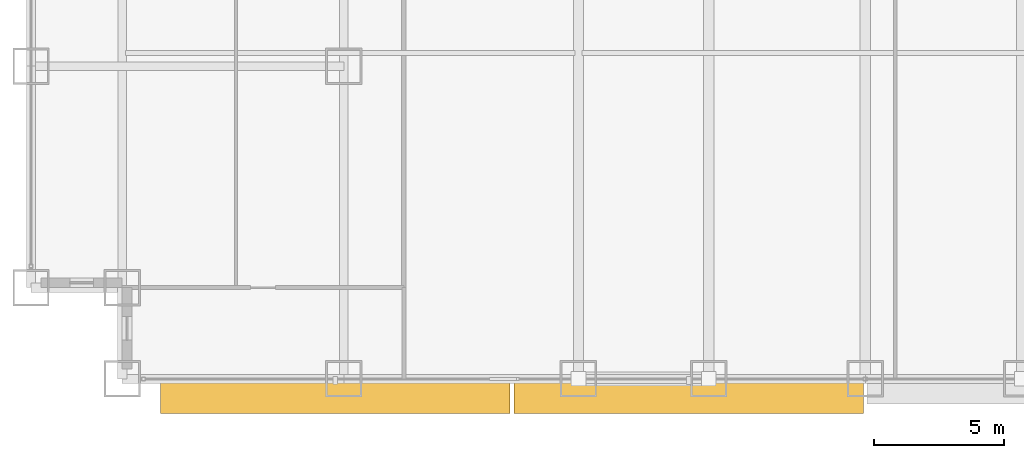
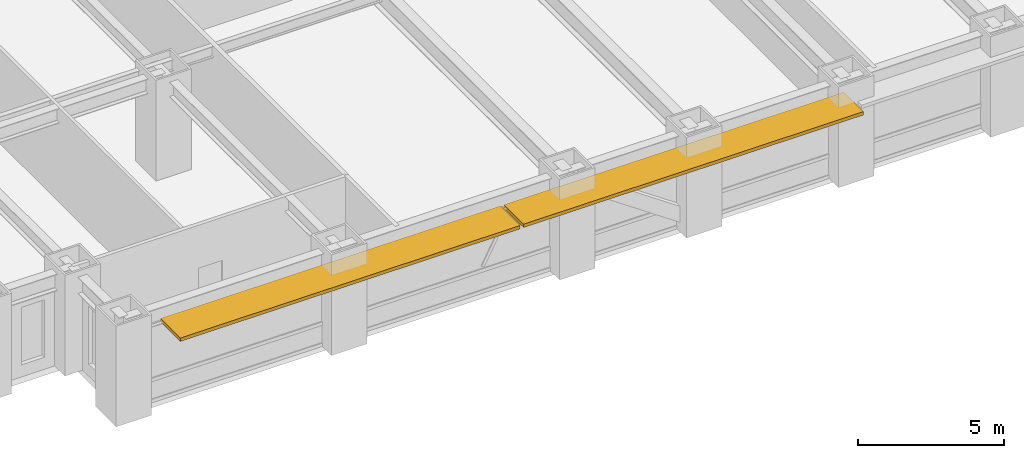
# One storey, part 28 of 32: 2 shading devices.
"""IFC4 building model written with IfcOpenShell, lengths in metres."""

from ifc_helpers import new_model, si_unit, direction, frame, origin, origin_2d, place, context, subcontext, project, spatial, rectangle, extrude, source, transform, mapped, material, layer, layer_set, type_object, element, save


model = new_model("IFC4")

# Units and contexts
model_context = context("Model", 3, precision=1e-05, world=origin(), true_north=direction((0.0, 1.0)))
body_context = subcontext(model_context, "Body", "Model", "MODEL_VIEW")
ifc_project = project(units=[si_unit("LENGTHUNIT", "METRE"), si_unit("AREAUNIT", "SQUARE_METRE"), si_unit("VOLUMEUNIT", "CUBIC_METRE"), si_unit("PLANEANGLEUNIT", "RADIAN"), si_unit("MASSUNIT", "GRAM", prefix="KILO")], contexts=[model_context])

# Site, building, storey
site_placement = place(None, origin())
site = spatial("IfcSite", under=ifc_project, at=site_placement, CompositionType="ELEMENT")
building_placement = place(site_placement, origin())
building = spatial("IfcBuilding", under=site, at=building_placement, Name="Khorayat Bourse Tower", CompositionType="ELEMENT")
storey_placement = place(building_placement, frame((0.0, 0.0, 70.39990234375)))
storey = spatial("IfcBuildingStorey", under=building, at=storey_placement, Name="L15", CompositionType="ELEMENT", Elevation=70.39990234375)

# Shading devices
ifc_material = material(Name="Precast concrete C45/55", Category="concrete")
ifc_layer = layer(ifc_material, 0.139892578125)
ifc_layer_set = layer_set([ifc_layer], Name="Precast concrete C45/55")
shading_device_type = type_object("IfcShadingDeviceType", Name="SHD-WAVE-TRAY-B", PredefinedType="USERDEFINED", material=ifc_layer_set)
shared_shape_1 = source(origin(), body_context, "Body", "SweptSolid", [
    extrude(rectangle(XDim=13.409912109375, YDim=1.350341796875, at=origin_2d()), origin(), (0.0, 0.0, 1.0), 0.139892578125),
])
shading_device_1_placement = place(storey_placement, frame((-20.324951171875, -32.655029296875, 3.18994140625), z_axis=(0.0, 0.0, 1.0), x_axis=(1.0, 0.0, 0.0)))
element("IfcShadingDevice", 1, at=shading_device_1_placement, inside=storey, type_object=shading_device_type, Name="L15 Sinusoidal Wave Sunshade Tray S-1", ObjectType="SUNSHADE", PredefinedType="USERDEFINED", context=body_context, shape_type="MappedRepresentation", body=[
    mapped(shared_shape_1, transform((0.0, 0.0, 0.0), scale=1.0)),
])
shared_shape_2 = source(origin(), body_context, "Body", "SweptSolid", [
    extrude(rectangle(XDim=13.409912109375, YDim=1.341796875, at=origin_2d()), origin(), (0.0, 0.0, 1.0), 0.139892578125),
])
shading_device_2_placement = place(storey_placement, frame((-6.77490234375, -32.65087890625, 3.18994140625), z_axis=(0.0, 0.0, 1.0), x_axis=(1.0, 0.0, 0.0)))
element("IfcShadingDevice", 2, at=shading_device_2_placement, inside=storey, type_object=shading_device_type, Name="L15 Sinusoidal Wave Sunshade Tray S-2", ObjectType="SUNSHADE", PredefinedType="USERDEFINED", context=body_context, shape_type="MappedRepresentation", body=[
    mapped(shared_shape_2, transform((0.0, 0.0, 0.0), scale=1.0)),
])

save(model, "model.ifc")
